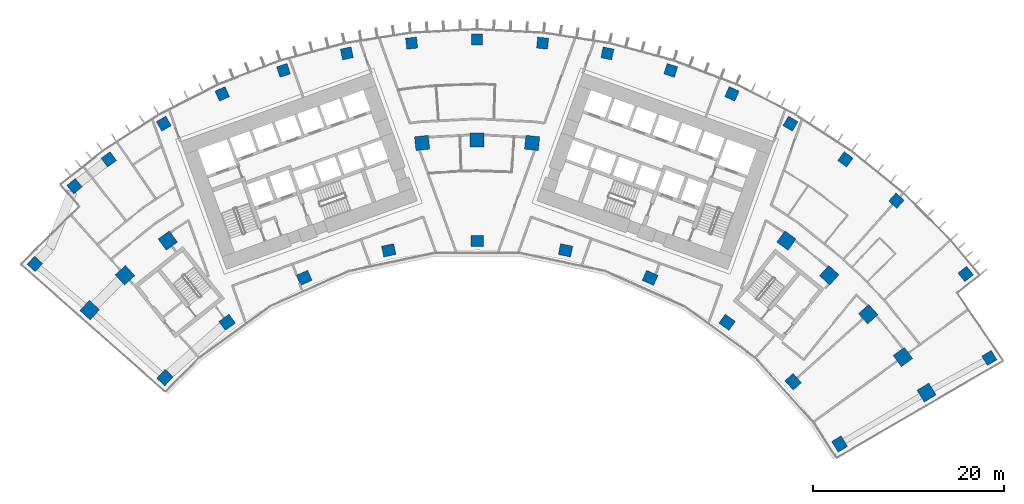
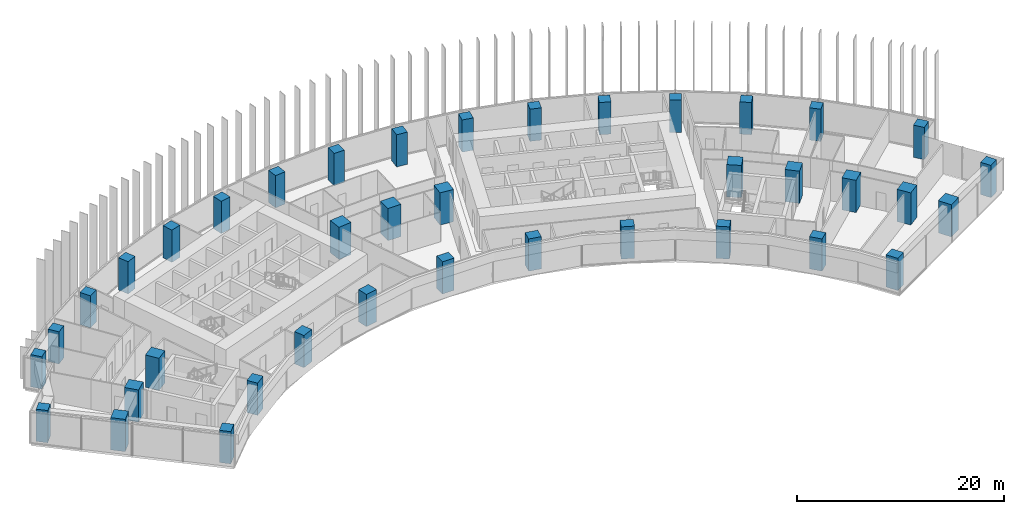
# One storey, part 1 of 22: 39 columns.
"""IFC4 building model written with IfcOpenShell, lengths in metres."""

from ifc_helpers import new_model, si_unit, direction, frame, origin, origin_2d, place, context, subcontext, project, spatial, rectangle, extrude, material, material_profile, profile_set, type_object, element, save


model = new_model("IFC4")

# Units and contexts
model_context = context("Model", 3, precision=1e-05, world=origin(), true_north=direction((0.0, 1.0)))
body_context = subcontext(model_context, "Body", "Model", "MODEL_VIEW")
ifc_project = project(units=[si_unit("LENGTHUNIT", "METRE"), si_unit("AREAUNIT", "SQUARE_METRE"), si_unit("VOLUMEUNIT", "CUBIC_METRE"), si_unit("PLANEANGLEUNIT", "RADIAN"), si_unit("MASSUNIT", "GRAM", prefix="KILO")], contexts=[model_context])

# Site, building, storey
site_placement = place(None, origin())
site = spatial("IfcSite", under=ifc_project, at=site_placement, CompositionType="ELEMENT")
building_placement = place(site_placement, origin())
building = spatial("IfcBuilding", under=site, at=building_placement, Name="Stone Belt Terrace Tower", CompositionType="ELEMENT")
storey_placement = place(building_placement, frame((0.0, 0.0, 121.199951171875)))
storey = spatial("IfcBuildingStorey", under=building, at=storey_placement, Name="L29", CompositionType="ELEMENT", Elevation=121.199951171875)

# Columns
ifc_material = material(Name="Concrete B80", Category="concrete")
ifc_material_profile_1 = material_profile(ifc_material, rectangle(XDim=1.14990234375, YDim=1.14990234375, at=origin_2d()), Name="RC 1150x1150")
ifc_profile_set_1 = profile_set([ifc_material_profile_1], Name="Concrete B80")
column_type_1 = type_object("IfcColumnType", Name="Column RC 1150x1150 B80", PredefinedType="COLUMN", material=ifc_profile_set_1)
for number, where, z_axis, x_axis, name in (
    (1, (-46.219970703125, 42.054443359375, 0.0), (0.0, 0.0, 1.0), (0.672991858851, 0.739649888745, 0.0), "Column L29 RA"),
    (2, (53.53662109375, 32.228515625, 0.0), (0.0, 0.0, 1.0), (0.515750011733, -0.856739123303, 0.0), "Column L29 RB"),
    (3, (-42.0830078125, 50.177734375, 0.0), (0.0, 0.0, 1.0), (0.76620260444, 0.642599073256, 0.0), "Column L29 RNA"),
    (4, (-38.493408203125, 52.981689453125, 0.0), (0.0, 0.0, 1.0), (0.809016994375, 0.587785252292, 0.0), "Column L29 R16"),
    (5, (-32.744384765625, 56.715087890625, 0.0), (0.0, 0.0, 1.0), (0.866025403784, 0.5, 0.0), "Column L29 R17"),
    (6, (-26.63671875, 59.8271484375, 0.0), (0.0, 0.0, 1.0), (0.913545457643, 0.406736643076, 0.0), "Column L29 R18"),
    (7, (-20.2373046875, 62.28369140625, 0.0), (0.0, 0.0, 1.0), (0.951056516295, 0.309016994375, 0.0), "Column L29 R19"),
    (8, (-13.615966796875, 64.057861328125, 0.0), (0.0, 0.0, 1.0), (0.978147600734, 0.207911690818, 0.0), "Column L29 R20"),
    (9, (-6.845458984375, 65.130126953125, 0.0), (0.0, 0.0, 1.0), (0.994521895368, 0.104528463268, 0.0), "Column L29 R21"),
    (10, (0.0, 65.489013671875, 0.0), (0.0, 0.0, 1.0), (1.0, 0.0, 0.0), "Column L29 R22"),
    (11, (6.845458984375, 65.130126953125, 0.0), (0.0, 0.0, 1.0), (0.994521895368, -0.104528463268, 0.0), "Column L29 R23"),
    (12, (13.615966796875, 64.057861328125, 0.0), (0.0, 0.0, 1.0), (0.978147600734, -0.207911690818, 0.0), "Column L29 R24"),
    (13, (20.2373046875, 62.28369140625, 0.0), (0.0, 0.0, 1.0), (0.951056516295, -0.309016994375, 0.0), "Column L29 R25"),
    (14, (26.63671875, 59.8271484375, 0.0), (0.0, 0.0, 1.0), (0.913545457643, -0.406736643076, 0.0), "Column L29 R26"),
    (15, (32.744384765625, 56.715087890625, 0.0), (0.0, 0.0, 1.0), (0.866025403784, -0.5, 0.0), "Column L29 R27"),
    (16, (38.493408203125, 52.981689453125, 0.0), (0.0, 0.0, 1.0), (0.809016994375, -0.587785252292, 0.0), "Column L29 R28"),
    (17, (43.820556640625, 48.667724609375, 0.0), (0.0, 0.0, 1.0), (0.743144825477, -0.669130606359, 0.0), "Column L29 R29"),
    (18, (51.064208984375, 41.002685546875, 0.0), (0.0, 0.0, 1.0), (0.626104488961, -0.779739167224, 0.0), "Column L29 RNB"),
):
    element("IfcColumn", number, at=place(storey_placement, frame(where, z_axis=z_axis, x_axis=x_axis)), inside=storey, type_object=column_type_1, Name=name, PredefinedType="COLUMN", context=body_context, shape_type="SweptSolid", body=[
        extrude(rectangle(XDim=1.14990234375, YDim=1.14990234375, at=origin_2d()), origin(), (0.0, 0.0, 1.0), 3.800048828125),
    ])
ifc_material_profile_2 = material_profile(ifc_material, rectangle(XDim=1.300048828125, YDim=1.14990234375, at=origin_2d()), Name="RC 1300x1150")
ifc_profile_set_2 = profile_set([ifc_material_profile_2], Name="Concrete B80")
column_type_2 = type_object("IfcColumnType", Name="Column RC 1300x1150 B80", PredefinedType="COLUMN", material=ifc_profile_set_2)
for number, where, z_axis, x_axis, name in (
    (19, (-32.626708984375, 30.1806640625, 0.0), (0.0, 0.0, 1.0), (0.679054468638, 0.734087888895, 0.0), "Column L29 PA"),
    (20, (-26.1240234375, 35.956787109375, 0.0), (0.0, 0.0, 1.0), (0.809016994375, 0.587785252292, 0.0), "Column L29 P16"),
    (21, (-18.077392578125, 40.6025390625, 0.0), (0.0, 0.0, 1.0), (0.913545457643, 0.406736643076, 0.0), "Column L29 P18"),
    (22, (-9.240478515625, 43.473876953125, 0.0), (0.0, 0.0, 1.0), (0.978147600734, 0.207911690818, 0.0), "Column L29 P20"),
    (23, (0.0, 44.445068359375, 0.0), (0.0, 0.0, 1.0), (1.0, 0.0, 0.0), "Column L29 P22"),
    (24, (9.240478515625, 43.473876953125, 0.0), (0.0, 0.0, 1.0), (0.978147600734, -0.207911690818, 0.0), "Column L29 P24"),
    (25, (18.077392578125, 40.6025390625, 0.0), (0.0, 0.0, 1.0), (0.913545457643, -0.406736643076, 0.0), "Column L29 P26"),
    (26, (26.1240234375, 35.956787109375, 0.0), (0.0, 0.0, 1.0), (0.809016994375, -0.587785252292, 0.0), "Column L29 P28"),
    (27, (33.029052734375, 29.739501953125, 0.0), (0.0, 0.0, 1.0), (0.669130606359, -0.743144825477, 0.0), "Column L29 P30"),
    (28, (37.887939453125, 23.235107421875, 0.0), (0.0, 0.0, 1.0), (0.522781282168, -0.852466850391, 0.0), "Column L29 PB"),
):
    element("IfcColumn", number, at=place(storey_placement, frame(where, z_axis=z_axis, x_axis=x_axis)), inside=storey, type_object=column_type_2, Name=name, PredefinedType="COLUMN", context=body_context, shape_type="SweptSolid", body=[
        extrude(rectangle(XDim=1.300048828125, YDim=1.14990234375, at=origin_2d()), origin(), (0.0, 0.0, 1.0), 3.800048828125),
    ])
ifc_material_profile_3 = material_profile(ifc_material, rectangle(XDim=1.449951171875, YDim=1.449951171875, at=origin_2d()), Name="RC 1450x1450")
ifc_profile_set_3 = profile_set([ifc_material_profile_3], Name="Concrete B80")
column_type_3 = type_object("IfcColumnType", Name="Column RC 1450x1450 B80", PredefinedType="COLUMN", material=ifc_profile_set_3)
for number, where, z_axis, x_axis, name in (
    (29, (-40.48828125, 37.22509765625, 0.0), (0.0, 0.0, 1.0), (0.676819439489, 0.736149065292, 0.0), "Column L29 QA"),
    (30, (-36.80224609375, 40.873046875, 0.0), (0.0, 0.0, 1.0), (0.743144825477, 0.669130606359, 0.0), "Column L29 Q15"),
    (31, (-32.328125, 44.495849609375, 0.0), (0.0, 0.0, 1.0), (0.809016994375, 0.587785252292, 0.0), "Column L29 Q16"),
    (32, (-5.7490234375, 54.69873046875, 0.0), (0.0, 0.0, 1.0), (0.994521895368, 0.104528463268, 0.0), "Column L29 Q21"),
    (33, (0.0, 55.0, 0.0), (0.0, 0.0, 1.0), (1.0, 0.0, 0.0), "Column L29 Q22"),
    (34, (5.7490234375, 54.69873046875, 0.0), (0.0, 0.0, 1.0), (0.994521895368, -0.104528463268, 0.0), "Column L29 Q23"),
    (35, (32.328125, 44.495849609375, 0.0), (0.0, 0.0, 1.0), (0.809016994375, -0.587785252292, 0.0), "Column L29 Q28"),
    (36, (36.80224609375, 40.873046875, 0.0), (0.0, 0.0, 1.0), (0.743144825477, -0.669130606359, 0.0), "Column L29 Q29"),
    (37, (40.873046875, 36.80224609375, 0.0), (0.0, 0.0, 1.0), (0.669130606359, -0.743144825477, 0.0), "Column L29 Q30"),
    (38, (44.495849609375, 32.328125, 0.0), (0.0, 0.0, 1.0), (0.587785252292, -0.809016994375, 0.0), "Column L29 Q31"),
    (39, (46.972900390625, 28.610107421875, 0.0), (0.0, 0.0, 1.0), (0.520185570168, -0.854053260979, 0.0), "Column L29 QB"),
):
    element("IfcColumn", number, at=place(storey_placement, frame(where, z_axis=z_axis, x_axis=x_axis)), inside=storey, type_object=column_type_3, Name=name, PredefinedType="COLUMN", context=body_context, shape_type="SweptSolid", body=[
        extrude(rectangle(XDim=1.449951171875, YDim=1.449951171875, at=origin_2d()), origin(), (0.0, 0.0, 1.0), 3.800048828125),
    ])

save(model, "model.ifc")
